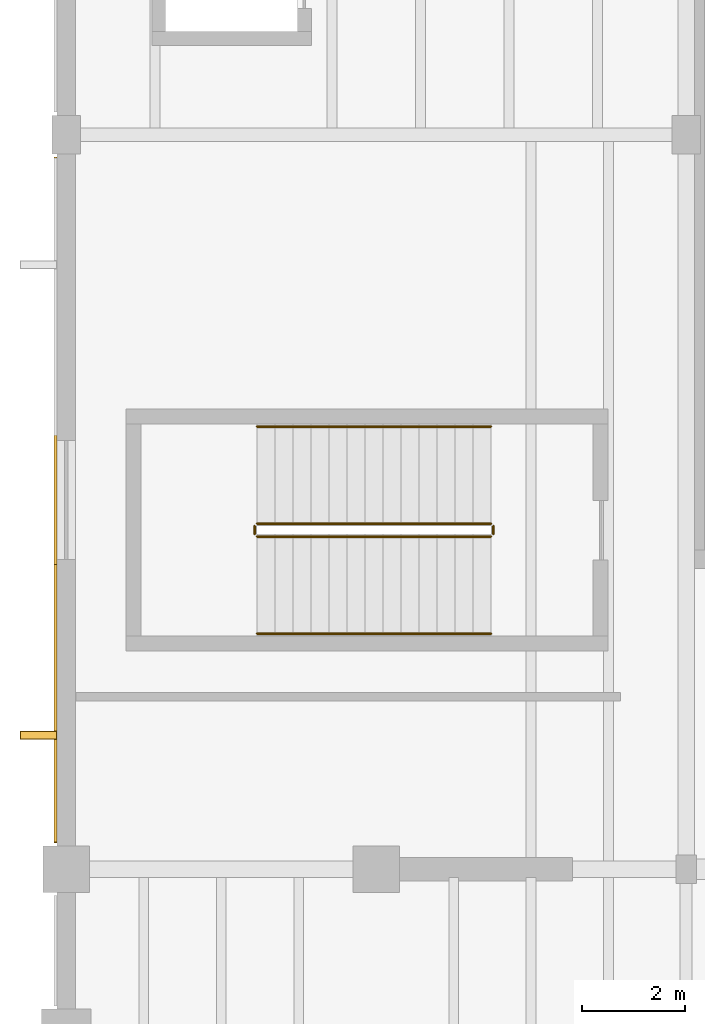
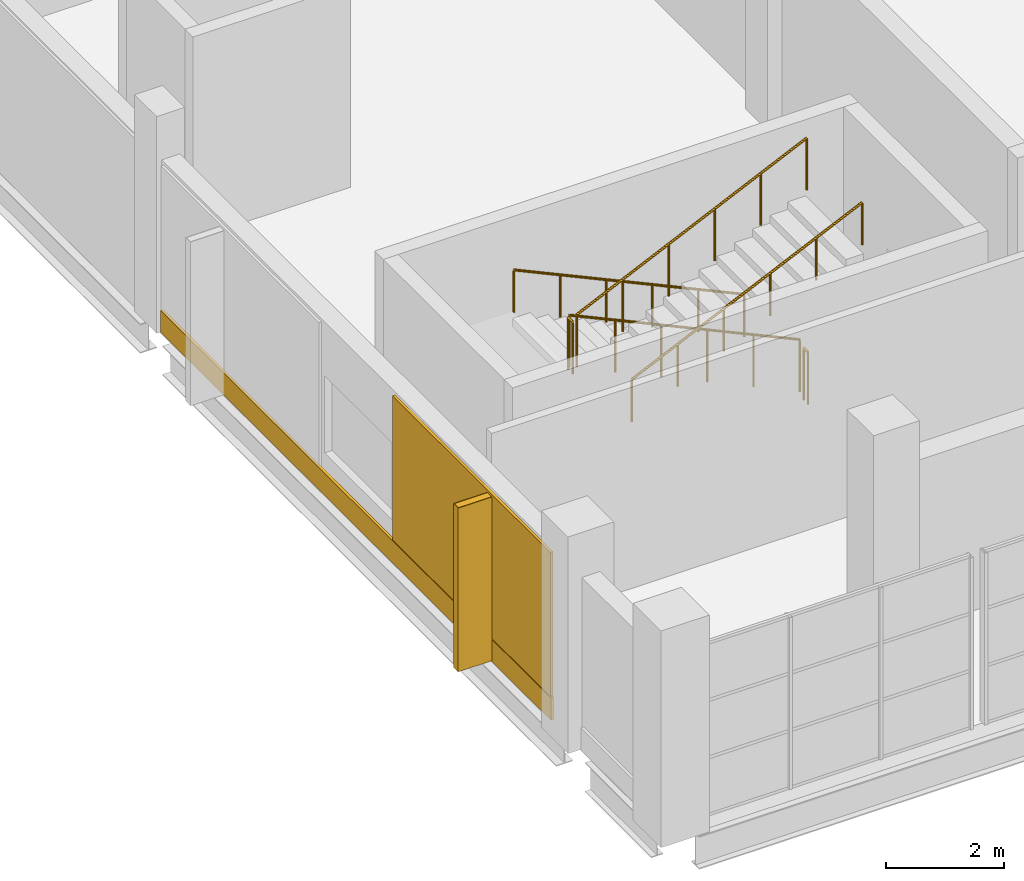
# One storey, part 68 of 78: 6 railings, 3 coverings, 1 shading device.
"""IFC4 building model written with IfcOpenShell, lengths in metres."""

from ifc_helpers import new_model, si_unit, direction, frame, origin, origin_2d, place, context, subcontext, project, spatial, rectangle, circle, extrude, material, layer, layer_set, type_object, element, save


model = new_model("IFC4")

# Units and contexts
model_context = context("Model", 3, precision=1e-05, world=origin(), true_north=direction((0.0, 1.0)))
body_context = subcontext(model_context, "Body", "Model", "MODEL_VIEW")
ifc_project = project(units=[si_unit("LENGTHUNIT", "METRE"), si_unit("AREAUNIT", "SQUARE_METRE"), si_unit("VOLUMEUNIT", "CUBIC_METRE"), si_unit("PLANEANGLEUNIT", "RADIAN"), si_unit("MASSUNIT", "GRAM", prefix="KILO")], contexts=[model_context])

# Site, building, storey
site_placement = place(None, origin())
site = spatial("IfcSite", under=ifc_project, at=site_placement, CompositionType="ELEMENT")
building_placement = place(site_placement, origin())
building = spatial("IfcBuilding", under=site, at=building_placement, Name="Kelmvaro Bay Concert Hall", CompositionType="ELEMENT")
storey_placement = place(building_placement, frame((0.0, 0.0, 9.300048828125)))
storey = spatial("IfcBuildingStorey", under=building, at=storey_placement, Name="L02", CompositionType="ELEMENT", Elevation=9.300048828125)

# Shading device
ifc_material_1 = material(Name="Anodised Extruded Aluminium 6063-T6", Category="aluminium")
ifc_layer_1 = layer(ifc_material_1, 3.39990234375)
ifc_layer_set_1 = layer_set([ifc_layer_1], Name="Anodised Extruded Aluminium 6063-T6")
shading_device_type = type_object("IfcShadingDeviceType", Name="Bauhaus Vertical Solar Brise-Soleil Fin 720x3400", PredefinedType="SHUTTER", material=ifc_layer_set_1)
shading_device_placement = place(storey_placement, frame((-0.535888671875, 71.173095703125, 0.06005859375), z_axis=(0.0, 0.0, 1.0), x_axis=(0.0, 1.0, 0.0)))
element("IfcShadingDevice", 1, at=shading_device_placement, inside=storey, type_object=shading_device_type, Name="L02 Solar Brise-Soleil Fin 019", PredefinedType="SHUTTER", context=body_context, shape_type="SweptSolid", body=[
    extrude(rectangle(XDim=0.159912109375, YDim=0.719970703125, at=origin_2d()), origin(), (0.0, 0.0, 1.0), 3.39990234375),
])

# Coverings
ifc_material_2 = material(Name="PVDF-Coated Architectural Aluminium", Category="aluminium")
ifc_layer_2 = layer(ifc_material_2, 0.0400390625)
ifc_layer_set_2 = layer_set([ifc_layer_2], Name="PVDF-Coated Architectural Aluminium")
covering_type_1 = type_object("IfcCoveringType", Name="De Stijl Enamelled Aluminium Fascia Panel 40", PredefinedType="CLADDING", material=ifc_layer_set_2)
covering_1_placement = place(storey_placement, frame((-0.535888671875, 71.173095703125, 0.06005859375), z_axis=(0.0, 0.0, 1.0), x_axis=(0.0, 1.0, 0.0)))
element("IfcCovering", 2, at=covering_1_placement, inside=storey, type_object=covering_type_1, Name="L02 Architectural Vertical Fin Cladding 0085", PredefinedType="CLADDING", context=body_context, shape_type="SweptSolid", body=[
    extrude(rectangle(XDim=0.139892578125, YDim=0.699951171875, at=origin_2d()), origin(), (0.0, 0.0, 1.0), 3.39990234375),
])
ifc_material_3 = material(Name="Honed Florida Limestone Travertine", Category="masonry")
ifc_layer_3 = layer(ifc_material_3, 0.054931640625)
ifc_layer_set_3 = layer_set([ifc_layer_3], Name="Honed Florida Limestone Travertine")
covering_type_2 = type_object("IfcCoveringType", Name="Honed Florida Travertine Rainscreen Cladding 55", PredefinedType="CLADDING", material=ifc_layer_set_3)
covering_2_placement = place(storey_placement, frame((-0.20556640625, 75.7275390625, 0.0400390625), z_axis=(0.0, 0.0, 1.0), x_axis=(0.0, 1.0, 0.0)))
element("IfcCovering", 3, at=covering_2_placement, inside=storey, type_object=covering_type_2, Name="L02 Travertine Sill Band 0084", PredefinedType="CLADDING", context=body_context, shape_type="SweptSolid", body=[
    extrude(rectangle(XDim=13.27490234375, YDim=0.054931640625, at=origin_2d()), origin(), (0.0, 0.0, 1.0), 0.4599609375),
])
covering_3_placement = place(storey_placement, frame((-0.20556640625, 71.793701171875, 0.52001953125), z_axis=(0.0, 0.0, 1.0), x_axis=(0.0, 1.0, 0.0)))
element("IfcCovering", 4, at=covering_3_placement, inside=storey, type_object=covering_type_2, Name="L02 Travertine Pier Panel 0087", PredefinedType="CLADDING", context=body_context, shape_type="SweptSolid", body=[
    extrude(rectangle(XDim=5.367919921875, YDim=0.054931640625, at=origin_2d()), origin(), (0.0, 0.0, 1.0), 2.989013671875),
])

# Railings
ifc_material_4 = material(Name="Brushed Stainless Steel 316", Category="steel")
railing_type_1 = type_object("IfcRailingType", Name="Stair Stainless Wall Handrail 900", PredefinedType="HANDRAIL", material=ifc_material_4)
railing_1_placement = place(storey_placement, frame((8.219970703125, 77.14990234375, 0.16064453125)))
element("IfcRailing", 5, at=railing_1_placement, inside=storey, type_object=railing_type_1, Name="L02 ST-01 stair handrail 1", PredefinedType="HANDRAIL", context=body_context, shape_type="SweptSolid", body=[
    extrude(circle(Radius=0.02392578125, at=origin_2d()), frame((0.0, 0.0, 0.8759765625), z_axis=(-0.907853242209, 0.0, 0.419288075922), x_axis=(0.0, -1.0, 0.0)), (0.0, 0.0, 1.0), 4.983154296875),
    extrude(circle(Radius=0.02099609375, at=origin_2d()), origin(), (0.0, 0.0, 1.0), 0.851806640625),
    extrude(circle(Radius=0.02099609375, at=origin_2d()), frame((-0.90478515625, 0.0, 0.41796875)), (0.0, 0.0, 1.0), 0.851806640625),
    extrude(circle(Radius=0.02099609375, at=origin_2d()), frame((-1.8095703125, 0.0, 0.835693359375)), (0.0, 0.0, 1.0), 0.851806640625),
    extrude(circle(Radius=0.02099609375, at=origin_2d()), frame((-2.71435546875, 0.0, 1.253662109375)), (0.0, 0.0, 1.0), 0.851806640625),
    extrude(circle(Radius=0.02099609375, at=origin_2d()), frame((-3.619140625, 0.0, 1.67138671875)), (0.0, 0.0, 1.0), 0.851806640625),
    extrude(circle(Radius=0.02099609375, at=origin_2d()), frame((-4.52392578125, 0.0, 2.08935546875)), (0.0, 0.0, 1.0), 0.851806640625),
])
railing_2_placement = place(storey_placement, frame((3.696044921875, 73.139892578125, 2.41064453125)))
element("IfcRailing", 6, at=railing_2_placement, inside=storey, type_object=railing_type_1, Name="L02 ST-01 stair handrail 2", PredefinedType="HANDRAIL", context=body_context, shape_type="SweptSolid", body=[
    extrude(circle(Radius=0.02392578125, at=origin_2d()), frame((0.0, 0.0, 0.8759765625), z_axis=(0.907853242209, 0.0, 0.419288075922), x_axis=(0.0, 1.0, 0.0)), (0.0, 0.0, 1.0), 4.983154296875),
    extrude(circle(Radius=0.02099609375, at=origin_2d()), origin(), (0.0, 0.0, 1.0), 0.851806640625),
    extrude(circle(Radius=0.02099609375, at=origin_2d()), frame((0.90478515625, 0.0, 0.41796875)), (0.0, 0.0, 1.0), 0.851806640625),
    extrude(circle(Radius=0.02099609375, at=origin_2d()), frame((1.8095703125, 0.0, 0.835693359375)), (0.0, 0.0, 1.0), 0.851806640625),
    extrude(circle(Radius=0.02099609375, at=origin_2d()), frame((2.71435546875, 0.0, 1.253662109375)), (0.0, 0.0, 1.0), 0.851806640625),
    extrude(circle(Radius=0.02099609375, at=origin_2d()), frame((3.619140625, 0.0, 1.67138671875)), (0.0, 0.0, 1.0), 0.851806640625),
    extrude(circle(Radius=0.02099609375, at=origin_2d()), frame((4.52392578125, 0.0, 2.08935546875)), (0.0, 0.0, 1.0), 0.851806640625),
])
ifc_material_5 = material(Name="Powder-Coated Steel ASTM A500", Category="steel")
railing_type_2 = type_object("IfcRailingType", Name="Stair Well Painted Steel Guard 1100", PredefinedType="BALUSTRADE", material=ifc_material_5)
railing_3_placement = place(storey_placement, frame((8.219970703125, 75.27001953125, 0.16064453125)))
element("IfcRailing", 7, at=railing_3_placement, inside=storey, type_object=railing_type_2, Name="L02 ST-01 stair guard 1", PredefinedType="BALUSTRADE", context=body_context, shape_type="SweptSolid", body=[
    extrude(circle(Radius=0.02392578125, at=origin_2d()), frame((0.0, 0.0, 1.076171875), z_axis=(-0.907853242209, 0.0, 0.419288075922), x_axis=(0.0, -1.0, 0.0)), (0.0, 0.0, 1.0), 4.983154296875),
    extrude(circle(Radius=0.02099609375, at=origin_2d()), origin(), (0.0, 0.0, 1.0), 1.052001953125),
    extrude(circle(Radius=0.02099609375, at=origin_2d()), frame((-0.90478515625, 0.0, 0.41796875)), (0.0, 0.0, 1.0), 1.052001953125),
    extrude(circle(Radius=0.02099609375, at=origin_2d()), frame((-1.8095703125, 0.0, 0.835693359375)), (0.0, 0.0, 1.0), 1.052001953125),
    extrude(circle(Radius=0.02099609375, at=origin_2d()), frame((-2.71435546875, 0.0, 1.253662109375)), (0.0, 0.0, 1.0), 1.052001953125),
    extrude(circle(Radius=0.02099609375, at=origin_2d()), frame((-3.619140625, 0.0, 1.67138671875)), (0.0, 0.0, 1.0), 1.052001953125),
    extrude(circle(Radius=0.02099609375, at=origin_2d()), frame((-4.52392578125, 0.0, 2.08935546875)), (0.0, 0.0, 1.0), 1.052001953125),
])
railing_4_placement = place(storey_placement, frame((3.64599609375, 75.219970703125, 2.25)))
element("IfcRailing", 8, at=railing_4_placement, inside=storey, type_object=railing_type_2, Name="L02 ST-01 stair guard 2", PredefinedType="BALUSTRADE", context=body_context, shape_type="SweptSolid", body=[
    extrude(circle(Radius=0.02392578125, at=origin_2d()), frame((0.0, 0.0, 1.076171875), z_axis=(0.0, -1.0, 0.0), x_axis=(1.0, 0.0, 0.0)), (0.0, 0.0, 1.0), 0.14990234375),
    extrude(circle(Radius=0.02099609375, at=origin_2d()), origin(), (0.0, 0.0, 1.0), 1.052001953125),
    extrude(circle(Radius=0.02099609375, at=origin_2d()), frame((0.0, -0.14990234375, 0.0)), (0.0, 0.0, 1.0), 1.052001953125),
])
railing_5_placement = place(storey_placement, frame((3.696044921875, 75.02001953125, 2.41064453125)))
element("IfcRailing", 9, at=railing_5_placement, inside=storey, type_object=railing_type_2, Name="L02 ST-01 stair guard 3", PredefinedType="BALUSTRADE", context=body_context, shape_type="SweptSolid", body=[
    extrude(circle(Radius=0.02392578125, at=origin_2d()), frame((0.0, 0.0, 1.076171875), z_axis=(0.907853242209, 0.0, 0.419288075922), x_axis=(0.0, 1.0, 0.0)), (0.0, 0.0, 1.0), 4.983154296875),
    extrude(circle(Radius=0.02099609375, at=origin_2d()), origin(), (0.0, 0.0, 1.0), 1.052001953125),
    extrude(circle(Radius=0.02099609375, at=origin_2d()), frame((0.90478515625, 0.0, 0.41796875)), (0.0, 0.0, 1.0), 1.052001953125),
    extrude(circle(Radius=0.02099609375, at=origin_2d()), frame((1.8095703125, 0.0, 0.835693359375)), (0.0, 0.0, 1.0), 1.052001953125),
    extrude(circle(Radius=0.02099609375, at=origin_2d()), frame((2.71435546875, 0.0, 1.253662109375)), (0.0, 0.0, 1.0), 1.052001953125),
    extrude(circle(Radius=0.02099609375, at=origin_2d()), frame((3.619140625, 0.0, 1.67138671875)), (0.0, 0.0, 1.0), 1.052001953125),
    extrude(circle(Radius=0.02099609375, at=origin_2d()), frame((4.52392578125, 0.0, 2.08935546875)), (0.0, 0.0, 1.0), 1.052001953125),
])
railing_6_placement = place(storey_placement, frame((8.27001953125, 75.219970703125, 0.0)))
element("IfcRailing", 10, at=railing_6_placement, inside=storey, type_object=railing_type_2, Name="L02 ST-01 stair guard 4", PredefinedType="BALUSTRADE", context=body_context, shape_type="SweptSolid", body=[
    extrude(circle(Radius=0.02392578125, at=origin_2d()), frame((0.0, 0.0, 1.076171875), z_axis=(0.0, -1.0, 0.0), x_axis=(1.0, 0.0, 0.0)), (0.0, 0.0, 1.0), 0.14990234375),
    extrude(circle(Radius=0.02099609375, at=origin_2d()), origin(), (0.0, 0.0, 1.0), 1.052001953125),
    extrude(circle(Radius=0.02099609375, at=origin_2d()), frame((0.0, -0.14990234375, 0.0)), (0.0, 0.0, 1.0), 1.052001953125),
])

save(model, "model.ifc")
